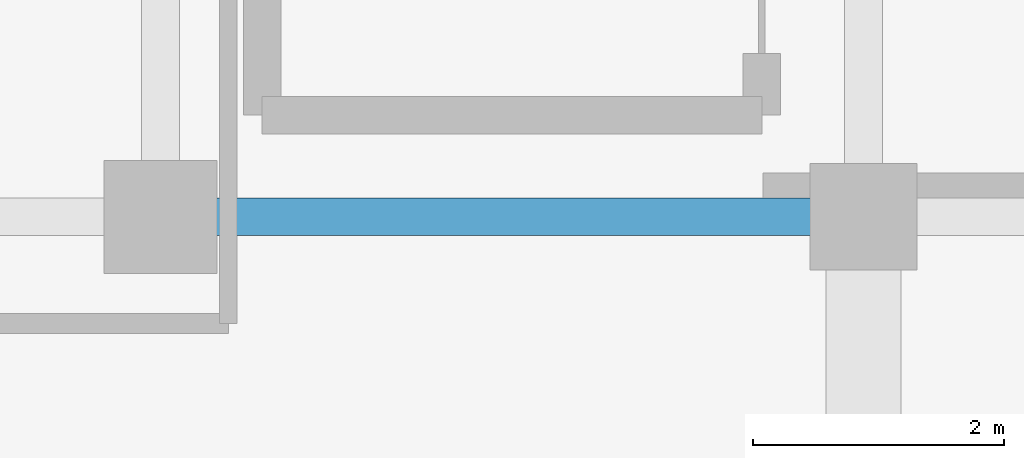
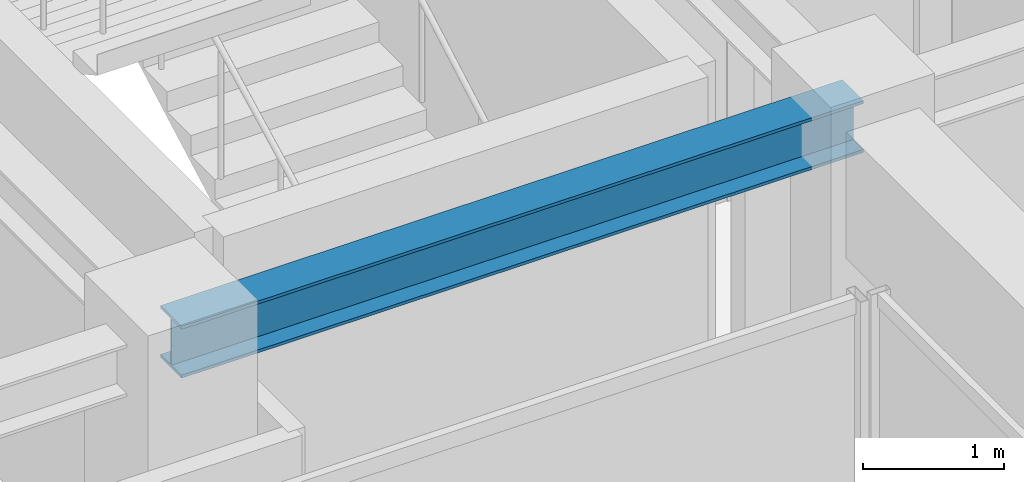
# One storey, part 15 of 40: 1 beam.
"""IFC4 building model written with IfcOpenShell, lengths in metres."""

from ifc_helpers import new_model, si_unit, direction, frame, origin, origin_2d, place, context, subcontext, project, spatial, i_section, extrude, source, transform, mapped, material, material_profile, profile_set, type_object, element, save


model = new_model("IFC4")

# Units and contexts
model_context = context("Model", 3, precision=1e-05, world=origin(), true_north=direction((0.0, 1.0)))
body_context = subcontext(model_context, "Body", "Model", "MODEL_VIEW")
ifc_project = project(units=[si_unit("LENGTHUNIT", "METRE"), si_unit("AREAUNIT", "SQUARE_METRE"), si_unit("VOLUMEUNIT", "CUBIC_METRE"), si_unit("PLANEANGLEUNIT", "RADIAN"), si_unit("MASSUNIT", "GRAM", prefix="KILO")], contexts=[model_context])

# Site, building, storey
site_placement = place(None, origin())
site = spatial("IfcSite", under=ifc_project, at=site_placement, CompositionType="ELEMENT")
building_placement = place(site_placement, origin())
building = spatial("IfcBuilding", under=site, at=building_placement, Name="Nahalor Promenade Grand Hotel", CompositionType="ELEMENT")
storey_placement = place(building_placement, frame((0.0, 0.0, 288.800048828125)))
storey = spatial("IfcBuildingStorey", under=building, at=storey_placement, Name="L74", CompositionType="ELEMENT", Elevation=288.800048828125)

# Beam
ifc_material = material(Name="Steel S355JR", Category="steel")
ifc_material_profile = material_profile(ifc_material, i_section(OverallWidth=0.3, OverallDepth=0.45, WebThickness=0.014, FlangeThickness=0.026, at=origin_2d()), Name="HEB 450")
ifc_profile_set = profile_set([ifc_material_profile], Name="Steel S355JR")
beam_type = type_object("IfcBeamType", Name="Beam-Girder-HEB450", PredefinedType="BEAM", material=ifc_profile_set)
shared_shape = source(origin(), body_context, "Body", "SweptSolid", [
    extrude(i_section(OverallWidth=0.3, OverallDepth=0.45, WebThickness=0.014, FlangeThickness=0.026, at=origin_2d()), origin(), (0.0, 0.0, 1.0), 5.599853515625),
])
beam_placement = place(storey_placement, frame((2.800048828125, 5.39990234375, 3.324951171875), z_axis=(1.0, 0.0, 0.0), x_axis=(0.0, 1.0, 0.0)))
element("IfcBeam", 1, at=beam_placement, inside=storey, type_object=beam_type, Name="BM-L74-GX-2-4", PredefinedType="BEAM", context=body_context, shape_type="MappedRepresentation", body=[
    mapped(shared_shape, transform((0.0, 0.0, 0.0), scale=1.0)),
])

save(model, "model.ifc")
